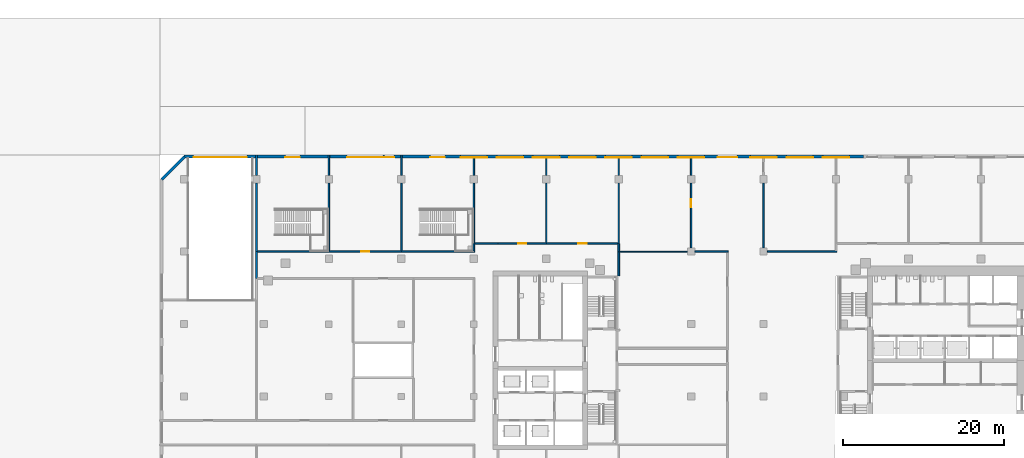
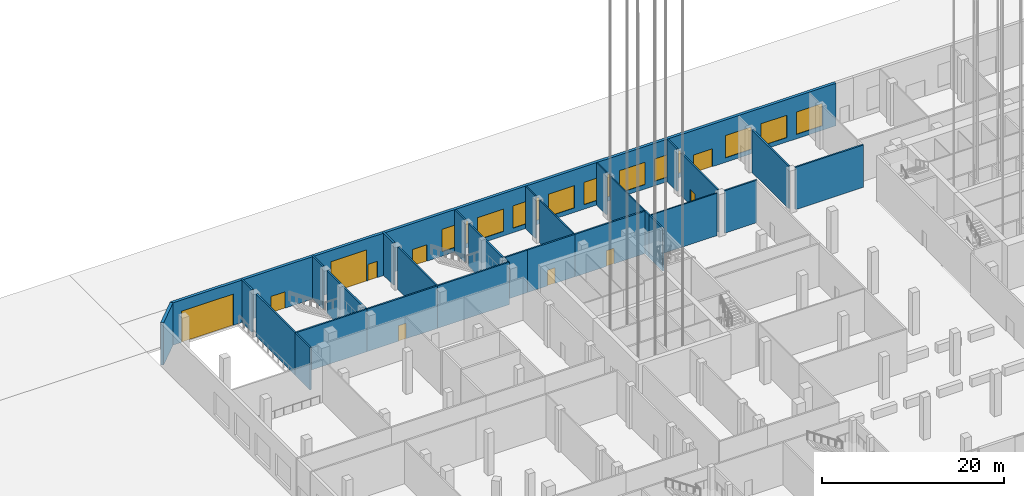
# One storey, part 40 of 55: 30 walls, 10 doors, 10 windows, 20 openings.
"""IFC4 building model written with IfcOpenShell, lengths in metres."""

from ifc_helpers import new_model, si_unit, direction, frame, frame_2d, origin, place, context, subcontext, project, spatial, rectangle, extrude, material, layer, layer_set, type_object, element, fill, save


model = new_model("IFC4")

# Units and contexts
model_context = context("Model", 3, precision=1e-05, world=origin(), true_north=direction((0.0, 1.0)))
body_context = subcontext(model_context, "Body", "Model", "MODEL_VIEW")
ifc_project = project(units=[si_unit("LENGTHUNIT", "METRE"), si_unit("AREAUNIT", "SQUARE_METRE"), si_unit("VOLUMEUNIT", "CUBIC_METRE"), si_unit("PLANEANGLEUNIT", "RADIAN"), si_unit("MASSUNIT", "GRAM", prefix="KILO")], contexts=[model_context])

# Site, building, storey
site_placement = place(None, origin())
site = spatial("IfcSite", under=ifc_project, at=site_placement, CompositionType="ELEMENT")
building_placement = place(site_placement, origin())
building = spatial("IfcBuilding", under=site, at=building_placement, Name="Cinnabar Reach Civic Tower", CompositionType="ELEMENT")
storey_placement = place(building_placement, origin())
storey = spatial("IfcBuildingStorey", under=building, at=storey_placement, Name="L00", CompositionType="ELEMENT", Elevation=0.0)

# Wall
ifc_material_1 = material(Name="Facing brick with insulated backing", Category="masonry")
ifc_layer_1 = layer(ifc_material_1, 0.36)
ifc_layer_set_1 = layer_set([ifc_layer_1], Name="Brick corner wall")
wall_type_1 = type_object("IfcWallType", Name="Brick corner wall", PredefinedType="STANDARD", material=ifc_layer_set_1)
wall_1_placement = place(storey_placement, frame((-80.9611, 56.7843, 0.0), z_axis=(0.0, 0.0, 1.0), x_axis=(-0.707106781187, -0.707106781187, 0.0)))
element("IfcWall", 1, at=wall_1_placement, inside=storey, type_object=wall_type_1, Name="Brick corner wall", PredefinedType="STANDARD", context=body_context, shape_type="SweptSolid", body=[
    extrude(rectangle(XDim=3.9926, YDim=0.36, at=frame_2d((1.9963, 0.0))), origin(), (0.0, 0.0, 1.0), 5.7),
])

# Wall, openings, doors, windows
ifc_layer_2 = layer(ifc_material_1, 0.36)
ifc_layer_set_2 = layer_set([ifc_layer_2], Name="Brick pier and spandrel wall")
wall_type_2 = type_object("IfcWallType", Name="Brick pier and spandrel wall", PredefinedType="STANDARD", material=ifc_layer_set_2)
wall_2_placement = place(storey_placement, frame((3.4, 56.82, 0.0), z_axis=(0.0, 0.0, 1.0), x_axis=(-1.0, 0.0, 0.0)))
wall_2 = element("IfcWall", 2, at=wall_2_placement, inside=storey, type_object=wall_type_2, Name="Brick facade wall", PredefinedType="STANDARD", context=body_context, shape_type="SweptSolid", body=[
    extrude(rectangle(XDim=84.4, YDim=0.36, at=frame_2d((42.2, 0.0))), origin(), (0.0, 0.0, 1.0), 5.7),
])
opening_1_placement = place(wall_2_placement, frame((15.7, 0.0, 0.0)))
opening_1 = element("IfcOpeningElement", 3, at=opening_1_placement, cuts=wall_2, Name="Opening D7543", PredefinedType="OPENING", context=body_context, shape_type="SweptSolid", body=[
    extrude(rectangle(XDim=2.4, YDim=2.4, at=frame_2d((1.2, 1.2))), frame((0.0, 0.19, 0.0), z_axis=(0.0, -1.0, 0.0), x_axis=(1.0, 0.0, 0.0)), (0.0, 0.0, 1.0), 0.38),
])
opening_2_placement = place(wall_2_placement, frame((76.6, 0.0, 0.0)))
opening_2 = element("IfcOpeningElement", 4, at=opening_2_placement, cuts=wall_2, Name="Opening D7544", PredefinedType="OPENING", context=body_context, shape_type="SweptSolid", body=[
    extrude(rectangle(XDim=6.6, YDim=4.2, at=frame_2d((3.3, 2.1))), frame((0.0, 0.19, 0.0), z_axis=(0.0, -1.0, 0.0), x_axis=(1.0, 0.0, 0.0)), (0.0, 0.0, 1.0), 0.38),
])
opening_3_placement = place(wall_2_placement, frame((59.65, 0.0, 0.0)))
opening_3 = element("IfcOpeningElement", 5, at=opening_3_placement, cuts=wall_2, Name="Opening D7545", PredefinedType="OPENING", context=body_context, shape_type="SweptSolid", body=[
    extrude(rectangle(XDim=4.5, YDim=4.2, at=frame_2d((2.25, 2.1))), frame((0.0, 0.19, 0.0), z_axis=(0.0, -1.0, 0.0), x_axis=(1.0, 0.0, 0.0)), (0.0, 0.0, 1.0), 0.38),
])
opening_4_placement = place(wall_2_placement, frame((58.3, 0.0, 0.0)))
opening_4 = element("IfcOpeningElement", 6, at=opening_4_placement, cuts=wall_2, Name="Opening D7546", PredefinedType="OPENING", context=body_context, shape_type="SweptSolid", body=[
    extrude(rectangle(XDim=1.2, YDim=2.2, at=frame_2d((0.6, 1.1))), frame((0.0, 0.19, 0.0), z_axis=(0.0, -1.0, 0.0), x_axis=(1.0, 0.0, 0.0)), (0.0, 0.0, 1.0), 0.38),
])
opening_5_placement = place(wall_2_placement, frame((70.0, 0.0, 0.0)))
opening_5 = element("IfcOpeningElement", 7, at=opening_5_placement, cuts=wall_2, Name="Opening D7547", PredefinedType="OPENING", context=body_context, shape_type="SweptSolid", body=[
    extrude(rectangle(XDim=1.8, YDim=2.2, at=frame_2d((0.9, 1.1))), frame((0.0, 0.19, 0.0), z_axis=(0.0, -1.0, 0.0), x_axis=(1.0, 0.0, 0.0)), (0.0, 0.0, 1.0), 0.38),
])
opening_6_placement = place(wall_2_placement, frame((52.0, 0.0, 0.0)))
opening_6 = element("IfcOpeningElement", 8, at=opening_6_placement, cuts=wall_2, Name="Opening D7548", PredefinedType="OPENING", context=body_context, shape_type="SweptSolid", body=[
    extrude(rectangle(XDim=1.8, YDim=2.2, at=frame_2d((0.9, 1.1))), frame((0.0, 0.19, 0.0), z_axis=(0.0, -1.0, 0.0), x_axis=(1.0, 0.0, 0.0)), (0.0, 0.0, 1.0), 0.38),
])
opening_7_placement = place(wall_2_placement, frame((1.75, 0.0, 0.6)))
opening_7 = element("IfcOpeningElement", 9, at=opening_7_placement, cuts=wall_2, Name="Opening W2832", PredefinedType="OPENING", context=body_context, shape_type="SweptSolid", body=[
    extrude(rectangle(XDim=3.3, YDim=3.0, at=frame_2d((1.65, 1.5))), frame((0.0, 0.19, 0.0), z_axis=(0.0, -1.0, 0.0), x_axis=(1.0, 0.0, 0.0)), (0.0, 0.0, 1.0), 0.38),
])
opening_8_placement = place(wall_2_placement, frame((6.25, 0.0, 0.6)))
opening_8 = element("IfcOpeningElement", 10, at=opening_8_placement, cuts=wall_2, Name="Opening W2833", PredefinedType="OPENING", context=body_context, shape_type="SweptSolid", body=[
    extrude(rectangle(XDim=3.3, YDim=3.0, at=frame_2d((1.65, 1.5))), frame((0.0, 0.19, 0.0), z_axis=(0.0, -1.0, 0.0), x_axis=(1.0, 0.0, 0.0)), (0.0, 0.0, 1.0), 0.38),
])
opening_9_placement = place(wall_2_placement, frame((10.75, 0.0, 0.6)))
opening_9 = element("IfcOpeningElement", 11, at=opening_9_placement, cuts=wall_2, Name="Opening W2834", PredefinedType="OPENING", context=body_context, shape_type="SweptSolid", body=[
    extrude(rectangle(XDim=3.3, YDim=3.0, at=frame_2d((1.65, 1.5))), frame((0.0, 0.19, 0.0), z_axis=(0.0, -1.0, 0.0), x_axis=(1.0, 0.0, 0.0)), (0.0, 0.0, 1.0), 0.38),
])
opening_10_placement = place(wall_2_placement, frame((19.75, 0.0, 0.6)))
opening_10 = element("IfcOpeningElement", 12, at=opening_10_placement, cuts=wall_2, Name="Opening W2835", PredefinedType="OPENING", context=body_context, shape_type="SweptSolid", body=[
    extrude(rectangle(XDim=3.3, YDim=3.0, at=frame_2d((1.65, 1.5))), frame((0.0, 0.19, 0.0), z_axis=(0.0, -1.0, 0.0), x_axis=(1.0, 0.0, 0.0)), (0.0, 0.0, 1.0), 0.38),
])
opening_11_placement = place(wall_2_placement, frame((24.25, 0.0, 0.6)))
opening_11 = element("IfcOpeningElement", 13, at=opening_11_placement, cuts=wall_2, Name="Opening W2836", PredefinedType="OPENING", context=body_context, shape_type="SweptSolid", body=[
    extrude(rectangle(XDim=3.3, YDim=3.0, at=frame_2d((1.65, 1.5))), frame((0.0, 0.19, 0.0), z_axis=(0.0, -1.0, 0.0), x_axis=(1.0, 0.0, 0.0)), (0.0, 0.0, 1.0), 0.38),
])
opening_12_placement = place(wall_2_placement, frame((28.75, 0.0, 0.6)))
opening_12 = element("IfcOpeningElement", 14, at=opening_12_placement, cuts=wall_2, Name="Opening W2837", PredefinedType="OPENING", context=body_context, shape_type="SweptSolid", body=[
    extrude(rectangle(XDim=3.3, YDim=3.0, at=frame_2d((1.65, 1.5))), frame((0.0, 0.19, 0.0), z_axis=(0.0, -1.0, 0.0), x_axis=(1.0, 0.0, 0.0)), (0.0, 0.0, 1.0), 0.38),
])
opening_13_placement = place(wall_2_placement, frame((33.25, 0.0, 0.6)))
opening_13 = element("IfcOpeningElement", 15, at=opening_13_placement, cuts=wall_2, Name="Opening W2838", PredefinedType="OPENING", context=body_context, shape_type="SweptSolid", body=[
    extrude(rectangle(XDim=3.3, YDim=3.0, at=frame_2d((1.65, 1.5))), frame((0.0, 0.19, 0.0), z_axis=(0.0, -1.0, 0.0), x_axis=(1.0, 0.0, 0.0)), (0.0, 0.0, 1.0), 0.38),
])
opening_14_placement = place(wall_2_placement, frame((37.75, 0.0, 0.6)))
opening_14 = element("IfcOpeningElement", 16, at=opening_14_placement, cuts=wall_2, Name="Opening W2839", PredefinedType="OPENING", context=body_context, shape_type="SweptSolid", body=[
    extrude(rectangle(XDim=3.3, YDim=3.0, at=frame_2d((1.65, 1.5))), frame((0.0, 0.19, 0.0), z_axis=(0.0, -1.0, 0.0), x_axis=(1.0, 0.0, 0.0)), (0.0, 0.0, 1.0), 0.38),
])
opening_15_placement = place(wall_2_placement, frame((42.25, 0.0, 0.6)))
opening_15 = element("IfcOpeningElement", 17, at=opening_15_placement, cuts=wall_2, Name="Opening W2840", PredefinedType="OPENING", context=body_context, shape_type="SweptSolid", body=[
    extrude(rectangle(XDim=3.3, YDim=3.0, at=frame_2d((1.65, 1.5))), frame((0.0, 0.19, 0.0), z_axis=(0.0, -1.0, 0.0), x_axis=(1.0, 0.0, 0.0)), (0.0, 0.0, 1.0), 0.38),
])
opening_16_placement = place(wall_2_placement, frame((46.75, 0.0, 0.6)))
opening_16 = element("IfcOpeningElement", 18, at=opening_16_placement, cuts=wall_2, Name="Opening W2841", PredefinedType="OPENING", context=body_context, shape_type="SweptSolid", body=[
    extrude(rectangle(XDim=3.3, YDim=3.0, at=frame_2d((1.65, 1.5))), frame((0.0, 0.19, 0.0), z_axis=(0.0, -1.0, 0.0), x_axis=(1.0, 0.0, 0.0)), (0.0, 0.0, 1.0), 0.38),
])
ifc_material_2 = material(Name="Steel roller gate", Category="steel")
door_type_1 = type_object("IfcDoorType", Name="Facade car park entrance gate", OperationType="SINGLE_SWING_LEFT", PredefinedType="GATE", material=ifc_material_2)
door_1_placement = place(opening_2_placement, origin())
door_1 = element("IfcDoor", 19, at=door_1_placement, inside=storey, type_object=door_type_1, Name="Car park ramp entrance", OperationType="ROLLINGUP", OverallHeight=4.2, OverallWidth=6.6, PredefinedType="GATE", context=body_context, shape_type="SweptSolid", body=[
    extrude(rectangle(XDim=6.6, YDim=4.2, at=frame_2d((3.3, 2.1))), frame((0.0, 0.12, 0.0), z_axis=(0.0, -1.0, 0.0), x_axis=(1.0, 0.0, 0.0)), (0.0, 0.0, 1.0), 0.05),
])
fill(opening_2, door_1)
ifc_material_3 = material(Name="Clear glazing in aluminium frame", Category="aluminium")
door_type_2 = type_object("IfcDoorType", Name="Facade entrance double door", OperationType="SINGLE_SWING_LEFT", PredefinedType="DOOR", material=ifc_material_3)
door_2_placement = place(opening_1_placement, frame((2.4, 0.0, 0.0), z_axis=(0.0, 0.0, 1.0), x_axis=(-1.0, 0.0, 0.0)))
door_2 = element("IfcDoor", 20, at=door_2_placement, inside=storey, type_object=door_type_2, Name="Council chamber foyer entrance", OperationType="DOUBLE_DOOR_SINGLE_SWING", OverallHeight=2.4, OverallWidth=2.4, PredefinedType="DOOR", context=body_context, shape_type="SweptSolid", body=[
    extrude(rectangle(XDim=2.4, YDim=2.4, at=frame_2d((1.2, 1.2))), frame((0.0, -0.07, 0.0), z_axis=(0.0, -1.0, 0.0), x_axis=(1.0, 0.0, 0.0)), (0.0, 0.0, 1.0), 0.05),
])
fill(opening_1, door_2)
ifc_material_4 = material(Name="Steel fire door", Category="steel")
door_type_3 = type_object("IfcDoorType", Name="Facade exit double door", OperationType="SINGLE_SWING_LEFT", PredefinedType="DOOR", material=ifc_material_4)
door_3_placement = place(opening_5_placement, frame((1.8, 0.0, 0.0), z_axis=(0.0, 0.0, 1.0), x_axis=(-1.0, 0.0, 0.0)))
door_3 = element("IfcDoor", 21, at=door_3_placement, inside=storey, type_object=door_type_3, Name="Stair exit discharge", OperationType="DOUBLE_DOOR_SINGLE_SWING", OverallHeight=2.2, OverallWidth=1.8, PredefinedType="DOOR", context=body_context, shape_type="SweptSolid", body=[
    extrude(rectangle(XDim=1.8, YDim=2.2, at=frame_2d((0.9, 1.1))), frame((0.0, -0.07, 0.0), z_axis=(0.0, -1.0, 0.0), x_axis=(1.0, 0.0, 0.0)), (0.0, 0.0, 1.0), 0.05),
])
fill(opening_5, door_3)
door_4_placement = place(opening_6_placement, frame((1.8, 0.0, 0.0), z_axis=(0.0, 0.0, 1.0), x_axis=(-1.0, 0.0, 0.0)))
door_4 = element("IfcDoor", 22, at=door_4_placement, inside=storey, type_object=door_type_3, Name="Stair exit discharge", OperationType="DOUBLE_DOOR_SINGLE_SWING", OverallHeight=2.2, OverallWidth=1.8, PredefinedType="DOOR", context=body_context, shape_type="SweptSolid", body=[
    extrude(rectangle(XDim=1.8, YDim=2.2, at=frame_2d((0.9, 1.1))), frame((0.0, -0.07, 0.0), z_axis=(0.0, -1.0, 0.0), x_axis=(1.0, 0.0, 0.0)), (0.0, 0.0, 1.0), 0.05),
])
fill(opening_6, door_4)
ifc_material_5 = material(Name="Insulated steel sectional door", Category="steel")
door_type_4 = type_object("IfcDoorType", Name="Facade loading dock overhead door", OperationType="SINGLE_SWING_LEFT", PredefinedType="DOOR", material=ifc_material_5)
door_5_placement = place(opening_3_placement, origin())
door_5 = element("IfcDoor", 23, at=door_5_placement, inside=storey, type_object=door_type_4, Name="Loading dock", OperationType="ROLLINGUP", OverallHeight=4.2, OverallWidth=4.5, PredefinedType="DOOR", context=body_context, shape_type="SweptSolid", body=[
    extrude(rectangle(XDim=4.5, YDim=4.2, at=frame_2d((2.25, 2.1))), frame((0.0, 0.12, 0.0), z_axis=(0.0, -1.0, 0.0), x_axis=(1.0, 0.0, 0.0)), (0.0, 0.0, 1.0), 0.05),
])
fill(opening_3, door_5)
ifc_material_6 = material(Name="Steel door", Category="steel")
door_type_5 = type_object("IfcDoorType", Name="Facade service door", OperationType="SINGLE_SWING_LEFT", PredefinedType="DOOR", material=ifc_material_6)
door_6_placement = place(opening_4_placement, frame((1.2, 0.0, 0.0), z_axis=(0.0, 0.0, 1.0), x_axis=(-1.0, 0.0, 0.0)))
door_6 = element("IfcDoor", 24, at=door_6_placement, inside=storey, type_object=door_type_5, Name="Loading dock staff door", OperationType="SINGLE_SWING_LEFT", OverallHeight=2.2, OverallWidth=1.2, PredefinedType="DOOR", context=body_context, shape_type="SweptSolid", body=[
    extrude(rectangle(XDim=1.2, YDim=2.2, at=frame_2d((0.6, 1.1))), frame((0.0, -0.07, 0.0), z_axis=(0.0, -1.0, 0.0), x_axis=(1.0, 0.0, 0.0)), (0.0, 0.0, 1.0), 0.05),
])
fill(opening_4, door_6)
ifc_material_7 = material(Name="Clear double glazing in aluminium frame", Category="aluminium")
window_type = type_object("IfcWindowType", Name="Podium window G", PartitioningType="SINGLE_PANEL", PredefinedType="WINDOW", material=ifc_material_7)
window_1_placement = place(opening_7_placement, origin())
window_1 = element("IfcWindow", 25, at=window_1_placement, inside=storey, type_object=window_type, Name="Window north face", OverallHeight=3.0, OverallWidth=3.3, PartitioningType="SINGLE_PANEL", PredefinedType="WINDOW", context=body_context, shape_type="SweptSolid", body=[
    extrude(rectangle(XDim=3.3, YDim=3.0, at=frame_2d((1.65, 1.5))), frame((0.0, 0.13, 0.0), z_axis=(0.0, -1.0, 0.0), x_axis=(1.0, 0.0, 0.0)), (0.0, 0.0, 1.0), 0.06),
])
fill(opening_7, window_1)
window_2_placement = place(opening_8_placement, origin())
window_2 = element("IfcWindow", 26, at=window_2_placement, inside=storey, type_object=window_type, Name="Window north face", OverallHeight=3.0, OverallWidth=3.3, PartitioningType="SINGLE_PANEL", PredefinedType="WINDOW", context=body_context, shape_type="SweptSolid", body=[
    extrude(rectangle(XDim=3.3, YDim=3.0, at=frame_2d((1.65, 1.5))), frame((0.0, 0.13, 0.0), z_axis=(0.0, -1.0, 0.0), x_axis=(1.0, 0.0, 0.0)), (0.0, 0.0, 1.0), 0.06),
])
fill(opening_8, window_2)
window_3_placement = place(opening_9_placement, origin())
window_3 = element("IfcWindow", 27, at=window_3_placement, inside=storey, type_object=window_type, Name="Window north face", OverallHeight=3.0, OverallWidth=3.3, PartitioningType="SINGLE_PANEL", PredefinedType="WINDOW", context=body_context, shape_type="SweptSolid", body=[
    extrude(rectangle(XDim=3.3, YDim=3.0, at=frame_2d((1.65, 1.5))), frame((0.0, 0.13, 0.0), z_axis=(0.0, -1.0, 0.0), x_axis=(1.0, 0.0, 0.0)), (0.0, 0.0, 1.0), 0.06),
])
fill(opening_9, window_3)
window_4_placement = place(opening_10_placement, origin())
window_4 = element("IfcWindow", 28, at=window_4_placement, inside=storey, type_object=window_type, Name="Window north face", OverallHeight=3.0, OverallWidth=3.3, PartitioningType="SINGLE_PANEL", PredefinedType="WINDOW", context=body_context, shape_type="SweptSolid", body=[
    extrude(rectangle(XDim=3.3, YDim=3.0, at=frame_2d((1.65, 1.5))), frame((0.0, 0.13, 0.0), z_axis=(0.0, -1.0, 0.0), x_axis=(1.0, 0.0, 0.0)), (0.0, 0.0, 1.0), 0.06),
])
fill(opening_10, window_4)
window_5_placement = place(opening_11_placement, origin())
window_5 = element("IfcWindow", 29, at=window_5_placement, inside=storey, type_object=window_type, Name="Window north face", OverallHeight=3.0, OverallWidth=3.3, PartitioningType="SINGLE_PANEL", PredefinedType="WINDOW", context=body_context, shape_type="SweptSolid", body=[
    extrude(rectangle(XDim=3.3, YDim=3.0, at=frame_2d((1.65, 1.5))), frame((0.0, 0.13, 0.0), z_axis=(0.0, -1.0, 0.0), x_axis=(1.0, 0.0, 0.0)), (0.0, 0.0, 1.0), 0.06),
])
fill(opening_11, window_5)
window_6_placement = place(opening_12_placement, origin())
window_6 = element("IfcWindow", 30, at=window_6_placement, inside=storey, type_object=window_type, Name="Window north face", OverallHeight=3.0, OverallWidth=3.3, PartitioningType="SINGLE_PANEL", PredefinedType="WINDOW", context=body_context, shape_type="SweptSolid", body=[
    extrude(rectangle(XDim=3.3, YDim=3.0, at=frame_2d((1.65, 1.5))), frame((0.0, 0.13, 0.0), z_axis=(0.0, -1.0, 0.0), x_axis=(1.0, 0.0, 0.0)), (0.0, 0.0, 1.0), 0.06),
])
fill(opening_12, window_6)
window_7_placement = place(opening_13_placement, origin())
window_7 = element("IfcWindow", 31, at=window_7_placement, inside=storey, type_object=window_type, Name="Window north face", OverallHeight=3.0, OverallWidth=3.3, PartitioningType="SINGLE_PANEL", PredefinedType="WINDOW", context=body_context, shape_type="SweptSolid", body=[
    extrude(rectangle(XDim=3.3, YDim=3.0, at=frame_2d((1.65, 1.5))), frame((0.0, 0.13, 0.0), z_axis=(0.0, -1.0, 0.0), x_axis=(1.0, 0.0, 0.0)), (0.0, 0.0, 1.0), 0.06),
])
fill(opening_13, window_7)
window_8_placement = place(opening_14_placement, origin())
window_8 = element("IfcWindow", 32, at=window_8_placement, inside=storey, type_object=window_type, Name="Window north face", OverallHeight=3.0, OverallWidth=3.3, PartitioningType="SINGLE_PANEL", PredefinedType="WINDOW", context=body_context, shape_type="SweptSolid", body=[
    extrude(rectangle(XDim=3.3, YDim=3.0, at=frame_2d((1.65, 1.5))), frame((0.0, 0.13, 0.0), z_axis=(0.0, -1.0, 0.0), x_axis=(1.0, 0.0, 0.0)), (0.0, 0.0, 1.0), 0.06),
])
fill(opening_14, window_8)
window_9_placement = place(opening_15_placement, origin())
window_9 = element("IfcWindow", 33, at=window_9_placement, inside=storey, type_object=window_type, Name="Window north face", OverallHeight=3.0, OverallWidth=3.3, PartitioningType="SINGLE_PANEL", PredefinedType="WINDOW", context=body_context, shape_type="SweptSolid", body=[
    extrude(rectangle(XDim=3.3, YDim=3.0, at=frame_2d((1.65, 1.5))), frame((0.0, 0.13, 0.0), z_axis=(0.0, -1.0, 0.0), x_axis=(1.0, 0.0, 0.0)), (0.0, 0.0, 1.0), 0.06),
])
fill(opening_15, window_9)
window_10_placement = place(opening_16_placement, origin())
window_10 = element("IfcWindow", 34, at=window_10_placement, inside=storey, type_object=window_type, Name="Window north face", OverallHeight=3.0, OverallWidth=3.3, PartitioningType="SINGLE_PANEL", PredefinedType="WINDOW", context=body_context, shape_type="SweptSolid", body=[
    extrude(rectangle(XDim=3.3, YDim=3.0, at=frame_2d((1.65, 1.5))), frame((0.0, 0.13, 0.0), z_axis=(0.0, -1.0, 0.0), x_axis=(1.0, 0.0, 0.0)), (0.0, 0.0, 1.0), 0.06),
])
fill(opening_16, window_10)

# Walls
ifc_material_8 = material(Name="Concrete blockwork", Category="masonry")
ifc_layer_3 = layer(ifc_material_8, 0.2)
ifc_layer_set_3 = layer_set([ifc_layer_3], Name="Podium masonry corridor wall 200 EI 120")
wall_type_3 = type_object("IfcWallType", Name="Podium masonry corridor wall 200 EI 120", PredefinedType="PARTITIONING", material=ifc_layer_set_3)
wall_3_placement = place(storey_placement, frame((-72.0, 45.0, 0.0), z_axis=(0.0, 0.0, 1.0), x_axis=(0.0, 1.0, 0.0)))
element("IfcWall", 35, at=wall_3_placement, inside=storey, type_object=wall_type_3, Name="Wall L00 5", PredefinedType="PARTITIONING", context=body_context, shape_type="SweptSolid", body=[
    extrude(rectangle(XDim=8.53, YDim=0.2, at=frame_2d((4.265, 0.0))), origin(), (0.0, 0.0, 1.0), 5.7),
])
wall_4_placement = place(storey_placement, frame((-72.0, 54.47, 0.0), z_axis=(0.0, 0.0, 1.0), x_axis=(0.0, 1.0, 0.0)))
element("IfcWall", 36, at=wall_4_placement, inside=storey, type_object=wall_type_3, Name="Wall L00 6", PredefinedType="PARTITIONING", context=body_context, shape_type="SweptSolid", body=[
    extrude(rectangle(XDim=2.53, YDim=0.2, at=frame_2d((1.265, 0.0))), origin(), (0.0, 0.0, 1.0), 5.7),
])
wall_5_placement = place(storey_placement, frame((-72.0, 41.65, 0.0), z_axis=(0.0, 0.0, 1.0), x_axis=(0.0, 1.0, 0.0)))
element("IfcWall", 37, at=wall_5_placement, inside=storey, type_object=wall_type_3, Name="Wall L00 47", PredefinedType="PARTITIONING", context=body_context, shape_type="SweptSolid", body=[
    extrude(rectangle(XDim=3.35, YDim=0.2, at=frame_2d((1.675, 0.0))), origin(), (0.0, 0.0, 1.0), 5.7),
])

# Wall, opening, door
wall_6_placement = place(storey_placement, frame((-18.0, 45.47, 0.0), z_axis=(0.0, 0.0, 1.0), x_axis=(0.0, 1.0, 0.0)))
wall_6 = element("IfcWall", 38, at=wall_6_placement, inside=storey, type_object=wall_type_3, Name="Wall L00 59", PredefinedType="PARTITIONING", context=body_context, shape_type="SweptSolid", body=[
    extrude(rectangle(XDim=8.06, YDim=0.2, at=frame_2d((4.03, 0.0))), origin(), (0.0, 0.0, 1.0), 5.7),
])
opening_17_placement = place(wall_6_placement, frame((5.03, 0.0, 0.0)))
opening_17 = element("IfcOpeningElement", 39, at=opening_17_placement, cuts=wall_6, Name="Opening D1002", PredefinedType="OPENING", context=body_context, shape_type="SweptSolid", body=[
    extrude(rectangle(XDim=1.0, YDim=2.1, at=frame_2d((0.5, 1.05))), frame((0.0, 0.11, 0.0), z_axis=(0.0, -1.0, 0.0), x_axis=(1.0, 0.0, 0.0)), (0.0, 0.0, 1.0), 0.22),
])
ifc_material_9 = material(Name="Painted steel door leaf", Category="steel")
door_type_6 = type_object("IfcDoorType", Name="Podium single door 1000x2100", OperationType="SINGLE_SWING_LEFT", PredefinedType="DOOR", material=ifc_material_9)
door_7_placement = place(opening_17_placement, origin())
door_7 = element("IfcDoor", 40, at=door_7_placement, inside=storey, type_object=door_type_6, Name="Door D1002", OperationType="SINGLE_SWING_RIGHT", OverallHeight=2.1, OverallWidth=1.0, PredefinedType="DOOR", context=body_context, shape_type="SweptSolid", body=[
    extrude(rectangle(XDim=1.0, YDim=2.1, at=frame_2d((0.5, 1.05))), frame((0.0, 0.025, 0.0), z_axis=(0.0, -1.0, 0.0), x_axis=(1.0, 0.0, 0.0)), (0.0, 0.0, 1.0), 0.05),
])
fill(opening_17, door_7)

# Walls
wall_7_placement = place(storey_placement, frame((-18.0, 54.47, 0.0), z_axis=(0.0, 0.0, 1.0), x_axis=(0.0, 1.0, 0.0)))
element("IfcWall", 41, at=wall_7_placement, inside=storey, type_object=wall_type_3, Name="Wall L00 60", PredefinedType="PARTITIONING", context=body_context, shape_type="SweptSolid", body=[
    extrude(rectangle(XDim=2.13, YDim=0.2, at=frame_2d((1.065, 0.0))), origin(), (0.0, 0.0, 1.0), 5.7),
])
wall_8_placement = place(storey_placement, frame((-27.0, 45.0, 0.0), z_axis=(0.0, 0.0, 1.0), x_axis=(0.0, 1.0, 0.0)))
element("IfcWall", 42, at=wall_8_placement, inside=storey, type_object=wall_type_3, Name="Wall L00 61", PredefinedType="PARTITIONING", context=body_context, shape_type="SweptSolid", body=[
    extrude(rectangle(XDim=1.0, YDim=0.2, at=frame_2d((0.5, 0.0))), origin(), (0.0, 0.0, 1.0), 5.7),
])
wall_9_placement = place(storey_placement, frame((-9.0, 45.47, 0.0), z_axis=(0.0, 0.0, 1.0), x_axis=(0.0, 1.0, 0.0)))
element("IfcWall", 43, at=wall_9_placement, inside=storey, type_object=wall_type_3, Name="Wall L00 64", PredefinedType="PARTITIONING", context=body_context, shape_type="SweptSolid", body=[
    extrude(rectangle(XDim=8.06, YDim=0.2, at=frame_2d((4.03, 0.0))), origin(), (0.0, 0.0, 1.0), 5.7),
])
wall_10_placement = place(storey_placement, frame((-8.53, 45.0, 0.0), z_axis=(0.0, 0.0, 1.0), x_axis=(1.0, 0.0, 0.0)))
element("IfcWall", 44, at=wall_10_placement, inside=storey, type_object=wall_type_3, Name="Wall L00 66", PredefinedType="PARTITIONING", context=body_context, shape_type="SweptSolid", body=[
    extrude(rectangle(XDim=8.63, YDim=0.2, at=frame_2d((4.315, 0.0))), origin(), (0.0, 0.0, 1.0), 5.7),
])
wall_11_placement = place(storey_placement, frame((-17.53, 45.0, 0.0), z_axis=(0.0, 0.0, 1.0), x_axis=(1.0, 0.0, 0.0)))
element("IfcWall", 45, at=wall_11_placement, inside=storey, type_object=wall_type_3, Name="Wall L00 72", PredefinedType="PARTITIONING", context=body_context, shape_type="SweptSolid", body=[
    extrude(rectangle(XDim=4.13, YDim=0.2, at=frame_2d((2.065, 0.0))), origin(), (0.0, 0.0, 1.0), 5.7),
])
wall_12_placement = place(storey_placement, frame((-27.0, 42.0, 0.0), z_axis=(0.0, 0.0, 1.0), x_axis=(0.0, 1.0, 0.0)))
element("IfcWall", 46, at=wall_12_placement, inside=storey, type_object=wall_type_3, Name="Wall L00 74", PredefinedType="PARTITIONING", context=body_context, shape_type="SweptSolid", body=[
    extrude(rectangle(XDim=3.0, YDim=0.2, at=frame_2d((1.5, 0.0))), origin(), (0.0, 0.0, 1.0), 5.7),
])

# Wall, opening, door
wall_13_placement = place(storey_placement, frame((-63.0, 45.0, 0.0), z_axis=(0.0, 0.0, 1.0), x_axis=(1.0, 0.0, 0.0)))
wall_13 = element("IfcWall", 47, at=wall_13_placement, inside=storey, type_object=wall_type_3, Name="Wall L00 121", PredefinedType="PARTITIONING", context=body_context, shape_type="SweptSolid", body=[
    extrude(rectangle(XDim=9.0, YDim=0.2, at=frame_2d((4.5, 0.0))), origin(), (0.0, 0.0, 1.0), 5.7),
])
opening_18_placement = place(wall_13_placement, frame((4.0, 0.0, 0.0)))
opening_18 = element("IfcOpeningElement", 48, at=opening_18_placement, cuts=wall_13, Name="Opening D1037", PredefinedType="OPENING", context=body_context, shape_type="SweptSolid", body=[
    extrude(rectangle(XDim=1.0, YDim=2.1, at=frame_2d((0.5, 1.05))), frame((0.0, 0.11, 0.0), z_axis=(0.0, -1.0, 0.0), x_axis=(1.0, 0.0, 0.0)), (0.0, 0.0, 1.0), 0.22),
])
door_8_placement = place(opening_18_placement, origin())
door_8 = element("IfcDoor", 49, at=door_8_placement, inside=storey, type_object=door_type_6, Name="Door D1037", OperationType="SINGLE_SWING_LEFT", OverallHeight=2.1, OverallWidth=1.0, PredefinedType="DOOR", context=body_context, shape_type="SweptSolid", body=[
    extrude(rectangle(XDim=1.0, YDim=2.1, at=frame_2d((0.5, 1.05))), frame((0.0, 0.025, 0.0), z_axis=(0.0, -1.0, 0.0), x_axis=(1.0, 0.0, 0.0)), (0.0, 0.0, 1.0), 0.05),
])
fill(opening_18, door_8)

# Wall
wall_14_placement = place(storey_placement, frame((-44.9, 46.0, 0.0), z_axis=(0.0, 0.0, 1.0), x_axis=(1.0, 0.0, 0.0)))
element("IfcWall", 50, at=wall_14_placement, inside=storey, type_object=wall_type_3, Name="Wall L00 122", PredefinedType="PARTITIONING", context=body_context, shape_type="SweptSolid", body=[
    extrude(rectangle(XDim=2.9, YDim=0.2, at=frame_2d((1.45, 0.0))), origin(), (0.0, 0.0, 1.0), 5.7),
])

# Wall, opening, door
wall_15_placement = place(storey_placement, frame((-42.0, 46.0, 0.0), z_axis=(0.0, 0.0, 1.0), x_axis=(1.0, 0.0, 0.0)))
wall_15 = element("IfcWall", 51, at=wall_15_placement, inside=storey, type_object=wall_type_3, Name="Wall L00 123", PredefinedType="PARTITIONING", context=body_context, shape_type="SweptSolid", body=[
    extrude(rectangle(XDim=6.0, YDim=0.2, at=frame_2d((3.0, 0.0))), origin(), (0.0, 0.0, 1.0), 5.7),
])
opening_19_placement = place(wall_15_placement, frame((2.5, 0.0, 0.0)))
opening_19 = element("IfcOpeningElement", 52, at=opening_19_placement, cuts=wall_15, Name="Opening D1038", PredefinedType="OPENING", context=body_context, shape_type="SweptSolid", body=[
    extrude(rectangle(XDim=1.0, YDim=2.1, at=frame_2d((0.5, 1.05))), frame((0.0, 0.11, 0.0), z_axis=(0.0, -1.0, 0.0), x_axis=(1.0, 0.0, 0.0)), (0.0, 0.0, 1.0), 0.22),
])
door_9_placement = place(opening_19_placement, origin())
door_9 = element("IfcDoor", 53, at=door_9_placement, inside=storey, type_object=door_type_6, Name="Door D1038", OperationType="SINGLE_SWING_LEFT", OverallHeight=2.1, OverallWidth=1.0, PredefinedType="DOOR", context=body_context, shape_type="SweptSolid", body=[
    extrude(rectangle(XDim=1.0, YDim=2.1, at=frame_2d((0.5, 1.05))), frame((0.0, 0.025, 0.0), z_axis=(0.0, -1.0, 0.0), x_axis=(1.0, 0.0, 0.0)), (0.0, 0.0, 1.0), 0.05),
])
fill(opening_19, door_9)

wall_16_placement = place(storey_placement, frame((-36.0, 46.0, 0.0), z_axis=(0.0, 0.0, 1.0), x_axis=(1.0, 0.0, 0.0)))
wall_16 = element("IfcWall", 54, at=wall_16_placement, inside=storey, type_object=wall_type_3, Name="Wall L00 124", PredefinedType="PARTITIONING", context=body_context, shape_type="SweptSolid", body=[
    extrude(rectangle(XDim=8.9, YDim=0.2, at=frame_2d((4.45, 0.0))), origin(), (0.0, 0.0, 1.0), 5.7),
])
opening_20_placement = place(wall_16_placement, frame((4.0, 0.0, 0.0)))
opening_20 = element("IfcOpeningElement", 55, at=opening_20_placement, cuts=wall_16, Name="Opening D1039", PredefinedType="OPENING", context=body_context, shape_type="SweptSolid", body=[
    extrude(rectangle(XDim=1.0, YDim=2.1, at=frame_2d((0.5, 1.05))), frame((0.0, 0.11, 0.0), z_axis=(0.0, -1.0, 0.0), x_axis=(1.0, 0.0, 0.0)), (0.0, 0.0, 1.0), 0.22),
])
door_10_placement = place(opening_20_placement, origin())
door_10 = element("IfcDoor", 56, at=door_10_placement, inside=storey, type_object=door_type_6, Name="Door D1039", OperationType="SINGLE_SWING_RIGHT", OverallHeight=2.1, OverallWidth=1.0, PredefinedType="DOOR", context=body_context, shape_type="SweptSolid", body=[
    extrude(rectangle(XDim=1.0, YDim=2.1, at=frame_2d((0.5, 1.05))), frame((0.0, 0.025, 0.0), z_axis=(0.0, -1.0, 0.0), x_axis=(1.0, 0.0, 0.0)), (0.0, 0.0, 1.0), 0.05),
])
fill(opening_20, door_10)

# Walls
ifc_material_10 = material(Name="Gypsum board on steel studs", Category="steel")
ifc_layer_4 = layer(ifc_material_10, 0.15)
ifc_layer_set_4 = layer_set([ifc_layer_4], Name="Podium partition wall 150 EI 90")
wall_type_4 = type_object("IfcWallType", Name="Podium partition wall 150 EI 90", PredefinedType="PARTITIONING", material=ifc_layer_set_4)
wall_17_placement = place(storey_placement, frame((-26.9, 45.0, 0.0), z_axis=(0.0, 0.0, 1.0), x_axis=(1.0, 0.0, 0.0)))
element("IfcWall", 57, at=wall_17_placement, inside=storey, type_object=wall_type_4, Name="Wall L00 58", PredefinedType="PARTITIONING", context=body_context, shape_type="SweptSolid", body=[
    extrude(rectangle(XDim=8.43, YDim=0.15, at=frame_2d((4.215, 0.0))), origin(), (0.0, 0.0, 1.0), 5.7),
])
wall_18_placement = place(storey_placement, frame((-27.0, 46.0, 0.0), z_axis=(0.0, 0.0, 1.0), x_axis=(0.0, 1.0, 0.0)))
element("IfcWall", 58, at=wall_18_placement, inside=storey, type_object=wall_type_4, Name="Wall L00 62", PredefinedType="PARTITIONING", context=body_context, shape_type="SweptSolid", body=[
    extrude(rectangle(XDim=7.53, YDim=0.15, at=frame_2d((3.765, 0.0))), origin(), (0.0, 0.0, 1.0), 5.7),
])
wall_19_placement = place(storey_placement, frame((-27.0, 54.47, 0.0), z_axis=(0.0, 0.0, 1.0), x_axis=(0.0, 1.0, 0.0)))
element("IfcWall", 59, at=wall_19_placement, inside=storey, type_object=wall_type_4, Name="Wall L00 63", PredefinedType="PARTITIONING", context=body_context, shape_type="SweptSolid", body=[
    extrude(rectangle(XDim=2.13, YDim=0.15, at=frame_2d((1.065, 0.0))), origin(), (0.0, 0.0, 1.0), 5.7),
])
wall_20_placement = place(storey_placement, frame((-36.0, 46.1, 0.0), z_axis=(0.0, 0.0, 1.0), x_axis=(0.0, 1.0, 0.0)))
element("IfcWall", 60, at=wall_20_placement, inside=storey, type_object=wall_type_4, Name="Wall L00 195", PredefinedType="PARTITIONING", context=body_context, shape_type="SweptSolid", body=[
    extrude(rectangle(XDim=7.43, YDim=0.15, at=frame_2d((3.715, 0.0))), origin(), (0.0, 0.0, 1.0), 5.7),
])
wall_21_placement = place(storey_placement, frame((-36.0, 54.47, 0.0), z_axis=(0.0, 0.0, 1.0), x_axis=(0.0, 1.0, 0.0)))
element("IfcWall", 61, at=wall_21_placement, inside=storey, type_object=wall_type_4, Name="Wall L00 196", PredefinedType="PARTITIONING", context=body_context, shape_type="SweptSolid", body=[
    extrude(rectangle(XDim=2.13, YDim=0.15, at=frame_2d((1.065, 0.0))), origin(), (0.0, 0.0, 1.0), 5.7),
])
ifc_material_11 = material(Name="Concrete C40", Category="concrete")
ifc_layer_5 = layer(ifc_material_11, 0.2)
ifc_layer_set_5 = layer_set([ifc_layer_5], Name="Podium stair shaft wall 200 EI 120")
wall_type_5 = type_object("IfcWallType", Name="Podium stair shaft wall 200 EI 120", PredefinedType="SOLIDWALL", material=ifc_layer_set_5)
wall_22_placement = place(storey_placement, frame((-71.9, 45.0, 0.0), z_axis=(0.0, 0.0, 1.0), x_axis=(1.0, 0.0, 0.0)))
element("IfcWall", 62, at=wall_22_placement, inside=storey, type_object=wall_type_5, Name="Wall L00 7", PredefinedType="SOLIDWALL", context=body_context, shape_type="SweptSolid", body=[
    extrude(rectangle(XDim=8.9, YDim=0.2, at=frame_2d((4.45, 0.0))), origin(), (0.0, 0.0, 1.0), 5.7),
])
wall_23_placement = place(storey_placement, frame((-63.0, 45.1, 0.0), z_axis=(0.0, 0.0, 1.0), x_axis=(0.0, 1.0, 0.0)))
element("IfcWall", 63, at=wall_23_placement, inside=storey, type_object=wall_type_5, Name="Wall L00 8", PredefinedType="SOLIDWALL", context=body_context, shape_type="SweptSolid", body=[
    extrude(rectangle(XDim=8.43, YDim=0.2, at=frame_2d((4.215, 0.0))), origin(), (0.0, 0.0, 1.0), 5.7),
])
wall_24_placement = place(storey_placement, frame((-63.0, 54.47, 0.0), z_axis=(0.0, 0.0, 1.0), x_axis=(0.0, 1.0, 0.0)))
element("IfcWall", 64, at=wall_24_placement, inside=storey, type_object=wall_type_5, Name="Wall L00 9", PredefinedType="SOLIDWALL", context=body_context, shape_type="SweptSolid", body=[
    extrude(rectangle(XDim=2.53, YDim=0.2, at=frame_2d((1.265, 0.0))), origin(), (0.0, 0.0, 1.0), 5.7),
])
wall_25_placement = place(storey_placement, frame((-45.0, 45.1, 0.0), z_axis=(0.0, 0.0, 1.0), x_axis=(0.0, 1.0, 0.0)))
element("IfcWall", 65, at=wall_25_placement, inside=storey, type_object=wall_type_5, Name="Wall L00 31", PredefinedType="SOLIDWALL", context=body_context, shape_type="SweptSolid", body=[
    extrude(rectangle(XDim=0.9, YDim=0.2, at=frame_2d((0.45, 0.0))), origin(), (0.0, 0.0, 1.0), 5.7),
])
wall_26_placement = place(storey_placement, frame((-54.0, 45.0, 0.0), z_axis=(0.0, 0.0, 1.0), x_axis=(1.0, 0.0, 0.0)))
element("IfcWall", 66, at=wall_26_placement, inside=storey, type_object=wall_type_5, Name="Wall L00 32", PredefinedType="SOLIDWALL", context=body_context, shape_type="SweptSolid", body=[
    extrude(rectangle(XDim=9.1, YDim=0.2, at=frame_2d((4.55, 0.0))), origin(), (0.0, 0.0, 1.0), 5.7),
])
wall_27_placement = place(storey_placement, frame((-54.0, 45.1, 0.0), z_axis=(0.0, 0.0, 1.0), x_axis=(0.0, 1.0, 0.0)))
element("IfcWall", 67, at=wall_27_placement, inside=storey, type_object=wall_type_5, Name="Wall L00 33", PredefinedType="SOLIDWALL", context=body_context, shape_type="SweptSolid", body=[
    extrude(rectangle(XDim=8.43, YDim=0.2, at=frame_2d((4.215, 0.0))), origin(), (0.0, 0.0, 1.0), 5.7),
])
wall_28_placement = place(storey_placement, frame((-54.0, 54.47, 0.0), z_axis=(0.0, 0.0, 1.0), x_axis=(0.0, 1.0, 0.0)))
element("IfcWall", 68, at=wall_28_placement, inside=storey, type_object=wall_type_5, Name="Wall L00 34", PredefinedType="SOLIDWALL", context=body_context, shape_type="SweptSolid", body=[
    extrude(rectangle(XDim=2.53, YDim=0.2, at=frame_2d((1.265, 0.0))), origin(), (0.0, 0.0, 1.0), 5.7),
])
wall_29_placement = place(storey_placement, frame((-45.0, 46.0, 0.0), z_axis=(0.0, 0.0, 1.0), x_axis=(0.0, 1.0, 0.0)))
element("IfcWall", 69, at=wall_29_placement, inside=storey, type_object=wall_type_5, Name="Wall L00 35", PredefinedType="SOLIDWALL", context=body_context, shape_type="SweptSolid", body=[
    extrude(rectangle(XDim=7.53, YDim=0.2, at=frame_2d((3.765, 0.0))), origin(), (0.0, 0.0, 1.0), 5.7),
])
wall_30_placement = place(storey_placement, frame((-45.0, 54.47, 0.0), z_axis=(0.0, 0.0, 1.0), x_axis=(0.0, 1.0, 0.0)))
element("IfcWall", 70, at=wall_30_placement, inside=storey, type_object=wall_type_5, Name="Wall L00 36", PredefinedType="SOLIDWALL", context=body_context, shape_type="SweptSolid", body=[
    extrude(rectangle(XDim=2.13, YDim=0.2, at=frame_2d((1.065, 0.0))), origin(), (0.0, 0.0, 1.0), 5.7),
])

save(model, "model.ifc")
